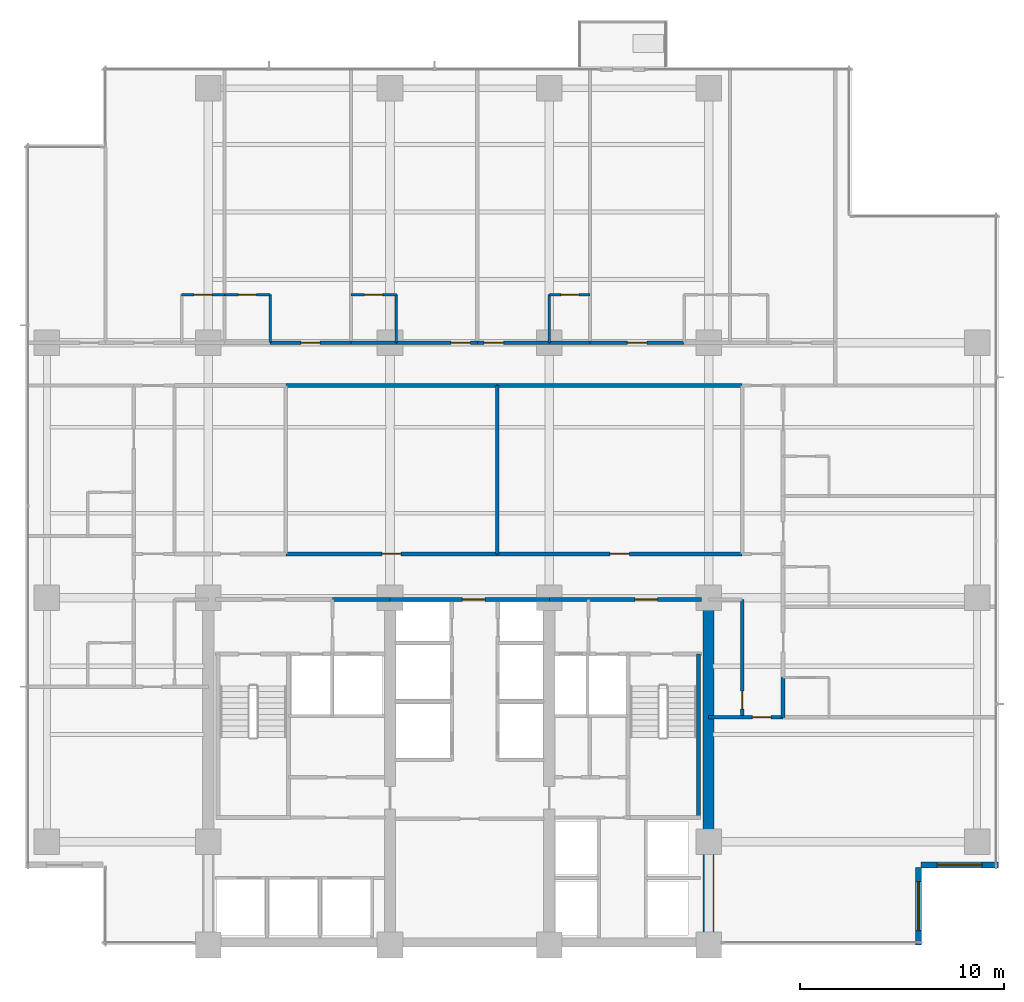
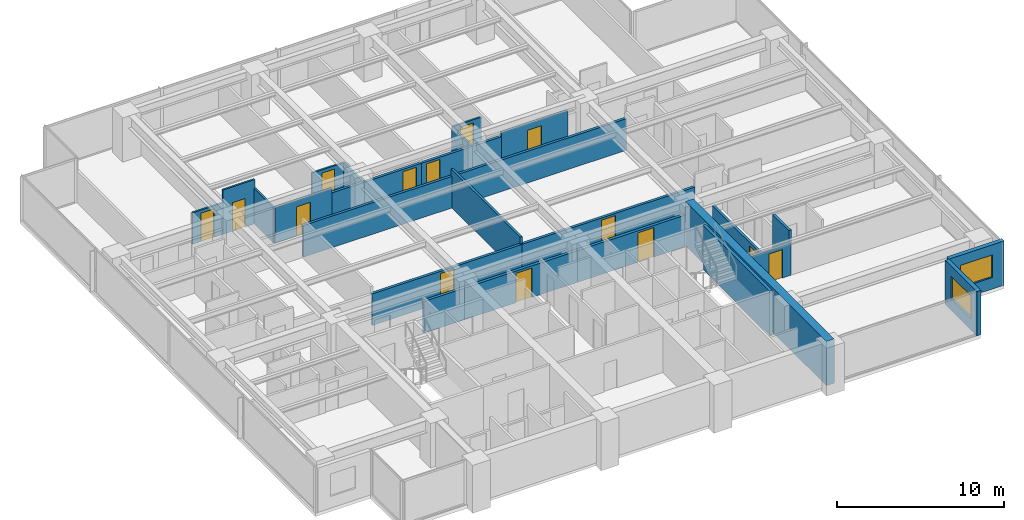
# One storey, part 10 of 17: 28 walls, 14 doors, 2 windows, 16 openings.
"""IFC4 building model written with IfcOpenShell, lengths in metres."""

from ifc_helpers import new_model, si_unit, direction, frame, frame_2d, origin, place, context, subcontext, project, spatial, rectangle, extrude, material, layer, layer_set, type_object, element, fill, save


model = new_model("IFC4")

# Units and contexts
model_context = context("Model", 3, precision=1e-05, world=origin(), true_north=direction((0.0, 1.0)))
body_context = subcontext(model_context, "Body", "Model", "MODEL_VIEW")
ifc_project = project(units=[si_unit("LENGTHUNIT", "METRE"), si_unit("AREAUNIT", "SQUARE_METRE"), si_unit("VOLUMEUNIT", "CUBIC_METRE"), si_unit("PLANEANGLEUNIT", "RADIAN"), si_unit("MASSUNIT", "GRAM", prefix="KILO")], contexts=[model_context])

# Site, building, storey
site_placement = place(None, origin())
site = spatial("IfcSite", under=ifc_project, at=site_placement, CompositionType="ELEMENT")
building_placement = place(site_placement, origin())
building = spatial("IfcBuilding", under=site, at=building_placement, Name="Qalmaran Belvedere Hotel", CompositionType="ELEMENT")
storey_placement = place(building_placement, frame((0.0, 0.0, 102.199951171875)))
storey = spatial("IfcBuildingStorey", under=building, at=storey_placement, Name="L25", CompositionType="ELEMENT", Elevation=102.199951171875)

# Wall
ifc_material_1 = material(Name="Concrete C60/75", Category="concrete")
ifc_layer_1 = layer(ifc_material_1, 0.550048828125, Name="Concrete C60/75")
ifc_layer_set_1 = layer_set([ifc_layer_1], Name="Concrete C60/75")
wall_type_1 = type_object("IfcWallType", Name="WL-CORE-550-C60", PredefinedType="SHEAR", material=ifc_layer_set_1)
wall_1_placement = place(storey_placement, frame((44.800048828125, 3.5, 0.0), z_axis=(0.0, 0.0, 1.0), x_axis=(0.0, 1.0, 0.0)))
element("IfcWall", 1, at=wall_1_placement, inside=storey, type_object=wall_type_1, Name="L25 East Core Shear Wall", PredefinedType="SHEAR", context=body_context, shape_type="SweptSolid", body=[
    extrude(rectangle(XDim=16.89990234375, YDim=0.550048828125, at=frame_2d((8.449951171875, 0.0))), origin(), (0.0, 0.0, 1.0), 3.239990234375),
])

# Wall, opening, window
ifc_material_2 = material(Name="Anodised Bronze Cladding")
ifc_layer_2 = layer(ifc_material_2, 0.280029296875, Name="Anodised Bronze Cladding")
ifc_layer_set_2 = layer_set([ifc_layer_2], Name="Anodised Bronze Cladding")
wall_type_2 = type_object("IfcWallType", Name="WL-EXT-BRNZ-280", PredefinedType="SOLIDWALL", material=ifc_layer_set_2)
wall_2_placement = place(storey_placement, frame((55.080078125, 3.5, 0.0), z_axis=(0.0, 0.0, 1.0), x_axis=(0.0, 1.0, 0.0)))
wall_2 = element("IfcWall", 2, at=wall_2_placement, inside=storey, type_object=wall_type_2, Name="L25 Corner Notch Wall 1", PredefinedType="SOLIDWALL", context=body_context, shape_type="SweptSolid", body=[
    extrude(rectangle(XDim=3.800048828125, YDim=0.280029296875, at=frame_2d((1.89990234375, 0.0))), origin(), (0.0, 0.0, 1.0), 3.239990234375),
])
opening_1_placement = place(wall_2_placement, frame((0.699951171875, 0.0, 0.85009765625)))
opening_1 = element("IfcOpeningElement", 3, at=opening_1_placement, cuts=wall_2, Name="Opening W-N24", PredefinedType="OPENING", context=body_context, shape_type="SweptSolid", body=[
    extrude(rectangle(XDim=2.39990234375, YDim=1.64990234375, at=frame_2d((1.199951171875, 0.824951171875))), frame((0.0, 0.14990234375, 0.0), z_axis=(0.0, -1.0, 0.0), x_axis=(1.0, 0.0, 0.0)), (0.0, 0.0, 1.0), 0.300048828125),
])
ifc_material_3 = material(Name="Solar-Control Double Glazing", Category="glass")
window_type_1 = type_object("IfcWindowType", Name="WN-NTC-2400X1650", PartitioningType="SINGLE_PANEL", PredefinedType="WINDOW", material=ifc_material_3)
window_1_placement = place(opening_1_placement, origin())
window_1 = element("IfcWindow", 4, at=window_1_placement, inside=storey, type_object=window_type_1, Name="L25 Corner Notch Window 1", OverallHeight=1.64990234375, OverallWidth=2.39990234375, PartitioningType="SINGLE_PANEL", PredefinedType="WINDOW", context=body_context, shape_type="SweptSolid", body=[
    extrude(rectangle(XDim=2.39990234375, YDim=1.64990234375, at=frame_2d((1.199951171875, 0.824951171875))), frame((0.0, 0.030029296875, 0.0), z_axis=(0.0, -1.0, 0.0), x_axis=(1.0, 0.0, 0.0)), (0.0, 0.0, 1.0), 0.06005859375),
])
fill(opening_1, window_1)

wall_3_placement = place(storey_placement, frame((55.199951171875, 7.419921875, 0.0), z_axis=(0.0, 0.0, 1.0), x_axis=(1.0, 0.0, 0.0)))
wall_3 = element("IfcWall", 5, at=wall_3_placement, inside=storey, type_object=wall_type_2, Name="L25 Corner Notch Wall 2", PredefinedType="SOLIDWALL", context=body_context, shape_type="SweptSolid", body=[
    extrude(rectangle(XDim=3.800048828125, YDim=0.280029296875, at=frame_2d((1.89990234375, 0.0))), origin(), (0.0, 0.0, 1.0), 3.239990234375),
])
opening_2_placement = place(wall_3_placement, frame((0.800048828125, 0.0, 0.85009765625)))
opening_2 = element("IfcOpeningElement", 6, at=opening_2_placement, cuts=wall_3, Name="Opening W-N22", PredefinedType="OPENING", context=body_context, shape_type="SweptSolid", body=[
    extrude(rectangle(XDim=2.199951171875, YDim=1.64990234375, at=frame_2d((1.10009765625, 0.824951171875))), frame((0.0, 0.14990234375, 0.0), z_axis=(0.0, -1.0, 0.0), x_axis=(1.0, 0.0, 0.0)), (0.0, 0.0, 1.0), 0.300048828125),
])
window_type_2 = type_object("IfcWindowType", Name="WN-NTC-2200X1650", PartitioningType="SINGLE_PANEL", PredefinedType="WINDOW", material=ifc_material_3)
window_2_placement = place(opening_2_placement, origin())
window_2 = element("IfcWindow", 7, at=window_2_placement, inside=storey, type_object=window_type_2, Name="L25 Corner Notch Window 2", OverallHeight=1.64990234375, OverallWidth=2.199951171875, PartitioningType="SINGLE_PANEL", PredefinedType="WINDOW", context=body_context, shape_type="SweptSolid", body=[
    extrude(rectangle(XDim=2.199951171875, YDim=1.64990234375, at=frame_2d((1.10009765625, 0.824951171875))), frame((0.0, 0.030029296875, 0.0), z_axis=(0.0, -1.0, 0.0), x_axis=(1.0, 0.0, 0.0)), (0.0, 0.0, 1.0), 0.06005859375),
])
fill(opening_2, window_2)

# Wall, opening, door
ifc_material_4 = material(Name="Moisture-Resistant Gypsum")
ifc_layer_3 = layer(ifc_material_4, 0.1201171875, Name="Moisture-Resistant Gypsum")
ifc_layer_set_3 = layer_set([ifc_layer_3], Name="Moisture-Resistant Gypsum")
wall_type_3 = type_object("IfcWallType", Name="WL-INT-120-BATH", PredefinedType="PARTITIONING", material=ifc_layer_set_3)
wall_4_placement = place(storey_placement, frame((18.99560546875, 35.35009765625, 0.0), z_axis=(0.0, 0.0, 1.0), x_axis=(1.0, 0.0, 0.0)))
wall_4 = element("IfcWall", 8, at=wall_4_placement, inside=storey, type_object=wall_type_3, Name="L25 Partition WL-L25-NBN00", PredefinedType="PARTITIONING", context=body_context, shape_type="SweptSolid", body=[
    extrude(rectangle(XDim=2.10009765625, YDim=0.1201171875, at=frame_2d((1.050048828125, 0.0))), origin(), (0.0, 0.0, 1.0), 2.31298828125),
])
opening_3_placement = place(wall_4_placement, frame((1.489990234375, 0.0, 0.0), z_axis=(0.0, 0.0, 1.0), x_axis=(-1.0, 0.0, 0.0)))
opening_3 = element("IfcOpeningElement", 9, at=opening_3_placement, cuts=wall_4, Name="Opening D-BATH", PredefinedType="OPENING", context=body_context, shape_type="SweptSolid", body=[
    extrude(rectangle(XDim=0.8798828125, YDim=2.080078125, at=frame_2d((0.43994140625, 1.0400390625))), frame((0.0, 0.070068359375, 0.0), z_axis=(0.0, -1.0, 0.0), x_axis=(1.0, 0.0, 0.0)), (0.0, 0.0, 1.0), 0.14013671875),
])
ifc_material_5 = material(Name="Engineered Oak Veneer")
door_type_1 = type_object("IfcDoorType", Name="DR-INT-BATH-880X2080", OperationType="NOTDEFINED", PredefinedType="DOOR", material=ifc_material_5)
door_1_placement = place(opening_3_placement, origin())
door_1 = element("IfcDoor", 10, at=door_1_placement, inside=storey, type_object=door_type_1, Name="L25 Ensuite Bathroom Door N01", OperationType="SINGLE_SWING_RIGHT", OverallHeight=2.080078125, OverallWidth=0.8798828125, PredefinedType="DOOR", context=body_context, shape_type="SweptSolid", body=[
    extrude(rectangle(XDim=0.8798828125, YDim=2.080078125, at=frame_2d((0.43994140625, 1.0400390625))), frame((0.0, 0.02490234375, 0.0), z_axis=(0.0, -1.0, 0.0), x_axis=(1.0, 0.0, 0.0)), (0.0, 0.0, 1.0), 0.050048828125),
])
fill(opening_3, door_1)

wall_5_placement = place(storey_placement, frame((21.095703125, 35.35009765625, 0.0), z_axis=(0.0, 0.0, 1.0), x_axis=(1.0, 0.0, 0.0)))
wall_5 = element("IfcWall", 11, at=wall_5_placement, inside=storey, type_object=wall_type_3, Name="L25 Partition WL-L25-NBN01", PredefinedType="PARTITIONING", context=body_context, shape_type="SweptSolid", body=[
    extrude(rectangle(XDim=2.22998046875, YDim=0.1201171875, at=frame_2d((1.114990234375, 0.0))), origin(), (0.0, 0.0, 1.0), 3.239990234375),
])
opening_4_placement = place(wall_5_placement, frame((1.554931640625, 0.0, 0.0), z_axis=(0.0, 0.0, 1.0), x_axis=(-1.0, 0.0, 0.0)))
opening_4 = element("IfcOpeningElement", 12, at=opening_4_placement, cuts=wall_5, Name="Opening D-BATH", PredefinedType="OPENING", context=body_context, shape_type="SweptSolid", body=[
    extrude(rectangle(XDim=0.8798828125, YDim=2.080078125, at=frame_2d((0.43994140625, 1.0400390625))), frame((0.0, 0.070068359375, 0.0), z_axis=(0.0, -1.0, 0.0), x_axis=(1.0, 0.0, 0.0)), (0.0, 0.0, 1.0), 0.14013671875),
])
door_2_placement = place(opening_4_placement, origin())
door_2 = element("IfcDoor", 13, at=door_2_placement, inside=storey, type_object=door_type_1, Name="L25 Ensuite Bathroom Door N02", OperationType="SINGLE_SWING_RIGHT", OverallHeight=2.080078125, OverallWidth=0.8798828125, PredefinedType="DOOR", context=body_context, shape_type="SweptSolid", body=[
    extrude(rectangle(XDim=0.8798828125, YDim=2.080078125, at=frame_2d((0.43994140625, 1.0400390625))), frame((0.0, 0.02490234375, 0.0), z_axis=(0.0, -1.0, 0.0), x_axis=(1.0, 0.0, 0.0)), (0.0, 0.0, 1.0), 0.050048828125),
])
fill(opening_4, door_2)

# Wall
wall_6_placement = place(storey_placement, frame((23.32568359375, 33.0, 0.0), z_axis=(0.0, 0.0, 1.0), x_axis=(0.0, 1.0, 0.0)))
element("IfcWall", 14, at=wall_6_placement, inside=storey, type_object=wall_type_3, Name="L25 Partition WL-L25-NBS01", PredefinedType="PARTITIONING", context=body_context, shape_type="SweptSolid", body=[
    extrude(rectangle(XDim=2.35009765625, YDim=0.1201171875, at=frame_2d((1.175048828125, 0.0))), origin(), (0.0, 0.0, 1.0), 2.614013671875),
])

# Wall, opening, door
wall_7_placement = place(storey_placement, frame((27.285400390625, 35.35009765625, 0.0), z_axis=(0.0, 0.0, 1.0), x_axis=(1.0, 0.0, 0.0)))
wall_7 = element("IfcWall", 15, at=wall_7_placement, inside=storey, type_object=wall_type_3, Name="L25 Partition WL-L25-NBN02", PredefinedType="PARTITIONING", context=body_context, shape_type="SweptSolid", body=[
    extrude(rectangle(XDim=2.22998046875, YDim=0.1201171875, at=frame_2d((1.114990234375, 0.0))), origin(), (0.0, 0.0, 1.0), 2.31298828125),
])
opening_5_placement = place(wall_7_placement, frame((1.554931640625, 0.0, 0.0), z_axis=(0.0, 0.0, 1.0), x_axis=(-1.0, 0.0, 0.0)))
opening_5 = element("IfcOpeningElement", 16, at=opening_5_placement, cuts=wall_7, Name="Opening D-BATH", PredefinedType="OPENING", context=body_context, shape_type="SweptSolid", body=[
    extrude(rectangle(XDim=0.8798828125, YDim=2.080078125, at=frame_2d((0.43994140625, 1.0400390625))), frame((0.0, 0.070068359375, 0.0), z_axis=(0.0, -1.0, 0.0), x_axis=(1.0, 0.0, 0.0)), (0.0, 0.0, 1.0), 0.14013671875),
])
door_3_placement = place(opening_5_placement, origin())
door_3 = element("IfcDoor", 17, at=door_3_placement, inside=storey, type_object=door_type_1, Name="L25 Ensuite Bathroom Door N03", OperationType="SINGLE_SWING_RIGHT", OverallHeight=2.080078125, OverallWidth=0.8798828125, PredefinedType="DOOR", context=body_context, shape_type="SweptSolid", body=[
    extrude(rectangle(XDim=0.8798828125, YDim=2.080078125, at=frame_2d((0.43994140625, 1.0400390625))), frame((0.0, 0.02490234375, 0.0), z_axis=(0.0, -1.0, 0.0), x_axis=(1.0, 0.0, 0.0)), (0.0, 0.0, 1.0), 0.050048828125),
])
fill(opening_5, door_3)

# Wall
wall_8_placement = place(storey_placement, frame((29.515380859375, 33.0, 0.0), z_axis=(0.0, 0.0, 1.0), x_axis=(0.0, 1.0, 0.0)))
element("IfcWall", 18, at=wall_8_placement, inside=storey, type_object=wall_type_3, Name="L25 Partition WL-L25-NBS02", PredefinedType="PARTITIONING", context=body_context, shape_type="SweptSolid", body=[
    extrude(rectangle(XDim=2.35009765625, YDim=0.1201171875, at=frame_2d((1.175048828125, 0.0))), origin(), (0.0, 0.0, 1.0), 2.31298828125),
])

# Wall, opening, door
wall_9_placement = place(storey_placement, frame((37.010009765625, 35.35009765625, 0.0), z_axis=(0.0, 0.0, 1.0), x_axis=(1.0, 0.0, 0.0)))
wall_9 = element("IfcWall", 19, at=wall_9_placement, inside=storey, type_object=wall_type_3, Name="L25 Partition WL-L25-NBN03", PredefinedType="PARTITIONING", context=body_context, shape_type="SweptSolid", body=[
    extrude(rectangle(XDim=1.989990234375, YDim=0.1201171875, at=frame_2d((0.9951171875, 0.0))), origin(), (0.0, 0.0, 1.0), 2.31298828125),
])
opening_6_placement = place(wall_9_placement, frame((1.434814453125, 0.0, 0.0), z_axis=(0.0, 0.0, 1.0), x_axis=(-1.0, 0.0, 0.0)))
opening_6 = element("IfcOpeningElement", 20, at=opening_6_placement, cuts=wall_9, Name="Opening D-BATH", PredefinedType="OPENING", context=body_context, shape_type="SweptSolid", body=[
    extrude(rectangle(XDim=0.8798828125, YDim=2.080078125, at=frame_2d((0.43994140625, 1.0400390625))), frame((0.0, 0.070068359375, 0.0), z_axis=(0.0, -1.0, 0.0), x_axis=(1.0, 0.0, 0.0)), (0.0, 0.0, 1.0), 0.14013671875),
])
door_4_placement = place(opening_6_placement, origin())
door_4 = element("IfcDoor", 21, at=door_4_placement, inside=storey, type_object=door_type_1, Name="L25 Ensuite Bathroom Door N04", OperationType="SINGLE_SWING_RIGHT", OverallHeight=2.080078125, OverallWidth=0.8798828125, PredefinedType="DOOR", context=body_context, shape_type="SweptSolid", body=[
    extrude(rectangle(XDim=0.8798828125, YDim=2.080078125, at=frame_2d((0.43994140625, 1.0400390625))), frame((0.0, 0.02490234375, 0.0), z_axis=(0.0, -1.0, 0.0), x_axis=(1.0, 0.0, 0.0)), (0.0, 0.0, 1.0), 0.050048828125),
])
fill(opening_6, door_4)

# Wall
wall_10_placement = place(storey_placement, frame((37.010009765625, 33.0, 0.0), z_axis=(0.0, 0.0, 1.0), x_axis=(0.0, 1.0, 0.0)))
element("IfcWall", 22, at=wall_10_placement, inside=storey, type_object=wall_type_3, Name="L25 Partition WL-L25-NBS03", PredefinedType="PARTITIONING", context=body_context, shape_type="SweptSolid", body=[
    extrude(rectangle(XDim=2.35009765625, YDim=0.1201171875, at=frame_2d((1.175048828125, 0.0))), origin(), (0.0, 0.0, 1.0), 2.31298828125),
])

# Wall, opening, door
ifc_material_6 = material(Name="Gypsum Stud Partition")
ifc_layer_4 = layer(ifc_material_6, 0.159912109375, Name="Gypsum Stud Partition")
ifc_layer_set_4 = layer_set([ifc_layer_4], Name="Gypsum Stud Partition")
wall_type_4 = type_object("IfcWallType", Name="WL-INT-160-EI60", PredefinedType="PARTITIONING", material=ifc_layer_set_4)
wall_11_placement = place(storey_placement, frame((44.800048828125, 14.64990234375, 0.0), z_axis=(0.0, 0.0, 1.0), x_axis=(1.0, 0.0, 0.0)))
wall_11 = element("IfcWall", 23, at=wall_11_placement, inside=storey, type_object=wall_type_4, Name="L25 Partition WL-L25-SERL", PredefinedType="PARTITIONING", context=body_context, shape_type="SweptSolid", body=[
    extrude(rectangle(XDim=3.64990234375, YDim=0.159912109375, at=frame_2d((1.824951171875, 0.0))), origin(), (0.0, 0.0, 1.0), 2.31298828125),
])
opening_7_placement = place(wall_11_placement, frame((3.06982421875, 0.0, 0.0), z_axis=(0.0, 0.0, 1.0), x_axis=(-1.0, 0.0, 0.0)))
opening_7 = element("IfcOpeningElement", 24, at=opening_7_placement, cuts=wall_11, Name="Opening FD60S1", PredefinedType="OPENING", context=body_context, shape_type="SweptSolid", body=[
    extrude(rectangle(XDim=0.919921875, YDim=2.080078125, at=frame_2d((0.4599609375, 1.0400390625))), frame((0.0, 0.08984375, 0.0), z_axis=(0.0, -1.0, 0.0), x_axis=(1.0, 0.0, 0.0)), (0.0, 0.0, 1.0), 0.179931640625),
])
door_type_2 = type_object("IfcDoorType", Name="DR-FD60S-920X2080", OperationType="NOTDEFINED", PredefinedType="DOOR", material=ifc_material_5)
door_5_placement = place(opening_7_placement, origin())
door_5 = element("IfcDoor", 25, at=door_5_placement, inside=storey, type_object=door_type_2, Name="L25 SE Lounge Door", OperationType="SINGLE_SWING_RIGHT", OverallHeight=2.080078125, OverallWidth=0.919921875, PredefinedType="DOOR", context=body_context, shape_type="SweptSolid", body=[
    extrude(rectangle(XDim=0.919921875, YDim=2.080078125, at=frame_2d((0.4599609375, 1.0400390625))), frame((0.0, 0.02490234375, 0.0), z_axis=(0.0, -1.0, 0.0), x_axis=(1.0, 0.0, 0.0)), (0.0, 0.0, 1.0), 0.050048828125),
])
fill(opening_7, door_5)

wall_12_placement = place(storey_placement, frame((46.449951171875, 14.64990234375, 0.0), z_axis=(0.0, 0.0, 1.0), x_axis=(0.0, 1.0, 0.0)))
wall_12 = element("IfcWall", 26, at=wall_12_placement, inside=storey, type_object=wall_type_4, Name="L25 Partition WL-L25-ECL", PredefinedType="PARTITIONING", context=body_context, shape_type="SweptSolid", body=[
    extrude(rectangle(XDim=5.77001953125, YDim=0.159912109375, at=frame_2d((2.885009765625, 0.0))), origin(), (0.0, 0.0, 1.0), 2.31298828125),
])
opening_8_placement = place(wall_12_placement, frame((0.39990234375, 0.0, 0.0)))
opening_8 = element("IfcOpeningElement", 27, at=opening_8_placement, cuts=wall_12, Name="Opening FD60B", PredefinedType="OPENING", context=body_context, shape_type="SweptSolid", body=[
    extrude(rectangle(XDim=0.8798828125, YDim=2.080078125, at=frame_2d((0.43994140625, 1.0400390625))), frame((0.0, 0.08984375, 0.0), z_axis=(0.0, -1.0, 0.0), x_axis=(1.0, 0.0, 0.0)), (0.0, 0.0, 1.0), 0.179931640625),
])
ifc_material_7 = material(Name="Steel S355JR", Category="steel")
door_type_3 = type_object("IfcDoorType", Name="DR-FD60B-880X2080", OperationType="NOTDEFINED", PredefinedType="DOOR", material=ifc_material_7)
door_6_placement = place(opening_8_placement, origin())
door_6 = element("IfcDoor", 28, at=door_6_placement, inside=storey, type_object=door_type_3, Name="L25 East Closet Door", OperationType="SINGLE_SWING_RIGHT", OverallHeight=2.080078125, OverallWidth=0.8798828125, PredefinedType="DOOR", context=body_context, shape_type="SweptSolid", body=[
    extrude(rectangle(XDim=0.8798828125, YDim=2.080078125, at=frame_2d((0.43994140625, 1.0400390625))), frame((0.0, 0.02490234375, 0.0), z_axis=(0.0, -1.0, 0.0), x_axis=(1.0, 0.0, 0.0)), (0.0, 0.0, 1.0), 0.050048828125),
])
fill(opening_8, door_6)

# Wall
wall_13_placement = place(storey_placement, frame((34.449951171875, 22.64990234375, 0.0), z_axis=(0.0, 0.0, 1.0), x_axis=(0.0, 1.0, 0.0)))
element("IfcWall", 29, at=wall_13_placement, inside=storey, type_object=wall_type_4, Name="L25 Partition WL-L25-MIDVR2", PredefinedType="PARTITIONING", context=body_context, shape_type="SweptSolid", body=[
    extrude(rectangle(XDim=8.25, YDim=0.159912109375, at=frame_2d((4.125, 0.0))), origin(), (0.0, 0.0, 1.0), 2.818115234375),
])

# Wall, opening, door
ifc_layer_5 = layer(ifc_material_6, 0.179931640625, Name="Gypsum Stud Partition")
ifc_layer_set_5 = layer_set([ifc_layer_5], Name="Gypsum Stud Partition")
wall_type_5 = type_object("IfcWallType", Name="WL-INT-180-EI60", PredefinedType="PARTITIONING", material=ifc_layer_set_5)
wall_14_placement = place(storey_placement, frame((24.10009765625, 22.64990234375, 0.0), z_axis=(0.0, 0.0, 1.0), x_axis=(1.0, 0.0, 0.0)))
wall_14 = element("IfcWall", 30, at=wall_14_placement, inside=storey, type_object=wall_type_5, Name="L25 Partition WL-L25-MIDD2", PredefinedType="PARTITIONING", context=body_context, shape_type="SweptSolid", body=[
    extrude(rectangle(XDim=10.349853515625, YDim=0.179931640625, at=frame_2d((5.1748046875, 0.0))), origin(), (0.0, 0.0, 1.0), 2.31298828125),
])
opening_9_placement = place(wall_14_placement, frame((4.699951171875, 0.0, 0.0)))
opening_9 = element("IfcOpeningElement", 31, at=opening_9_placement, cuts=wall_14, Name="Opening FD60", PredefinedType="OPENING", context=body_context, shape_type="SweptSolid", body=[
    extrude(rectangle(XDim=0.949951171875, YDim=2.14990234375, at=frame_2d((0.47509765625, 1.074951171875))), frame((0.0, 0.10009765625, 0.0), z_axis=(0.0, -1.0, 0.0), x_axis=(1.0, 0.0, 0.0)), (0.0, 0.0, 1.0), 0.199951171875),
])
door_type_4 = type_object("IfcDoorType", Name="DR-FD60-950X2150", OperationType="NOTDEFINED", PredefinedType="DOOR", material=ifc_material_5)
door_7_placement = place(opening_9_placement, origin())
door_7 = element("IfcDoor", 32, at=door_7_placement, inside=storey, type_object=door_type_4, Name="L25 Club Lounge Door", OperationType="SINGLE_SWING_RIGHT", OverallHeight=2.14990234375, OverallWidth=0.949951171875, PredefinedType="DOOR", context=body_context, shape_type="SweptSolid", body=[
    extrude(rectangle(XDim=0.949951171875, YDim=2.14990234375, at=frame_2d((0.47509765625, 1.074951171875))), frame((0.0, 0.02490234375, 0.0), z_axis=(0.0, -1.0, 0.0), x_axis=(1.0, 0.0, 0.0)), (0.0, 0.0, 1.0), 0.050048828125),
])
fill(opening_9, door_7)

# Wall
wall_15_placement = place(storey_placement, frame((24.10009765625, 30.89990234375, 0.0), z_axis=(0.0, 0.0, 1.0), x_axis=(1.0, 0.0, 0.0)))
element("IfcWall", 33, at=wall_15_placement, inside=storey, type_object=wall_type_5, Name="L25 Partition WL-L25-MIDO2", PredefinedType="PARTITIONING", context=body_context, shape_type="SweptSolid", body=[
    extrude(rectangle(XDim=10.349853515625, YDim=0.179931640625, at=frame_2d((5.1748046875, 0.0))), origin(), (0.0, 0.0, 1.0), 2.31298828125),
])

# Wall, opening, door
wall_16_placement = place(storey_placement, frame((34.449951171875, 22.64990234375, 0.0), z_axis=(0.0, 0.0, 1.0), x_axis=(1.0, 0.0, 0.0)))
wall_16 = element("IfcWall", 34, at=wall_16_placement, inside=storey, type_object=wall_type_5, Name="L25 Partition WL-L25-MIDD3", PredefinedType="PARTITIONING", context=body_context, shape_type="SweptSolid", body=[
    extrude(rectangle(XDim=12.0, YDim=0.179931640625, at=frame_2d((6.0, 0.0))), origin(), (0.0, 0.0, 1.0), 2.31298828125),
])
opening_10_placement = place(wall_16_placement, frame((5.52490234375, 0.0, 0.0)))
opening_10 = element("IfcOpeningElement", 35, at=opening_10_placement, cuts=wall_16, Name="Opening FD60", PredefinedType="OPENING", context=body_context, shape_type="SweptSolid", body=[
    extrude(rectangle(XDim=0.949951171875, YDim=2.14990234375, at=frame_2d((0.47509765625, 1.074951171875))), frame((0.0, 0.10009765625, 0.0), z_axis=(0.0, -1.0, 0.0), x_axis=(1.0, 0.0, 0.0)), (0.0, 0.0, 1.0), 0.199951171875),
])
door_8_placement = place(opening_10_placement, origin())
door_8 = element("IfcDoor", 36, at=door_8_placement, inside=storey, type_object=door_type_4, Name="L25 Fitness Spa Door", OperationType="SINGLE_SWING_LEFT", OverallHeight=2.14990234375, OverallWidth=0.949951171875, PredefinedType="DOOR", context=body_context, shape_type="SweptSolid", body=[
    extrude(rectangle(XDim=0.949951171875, YDim=2.14990234375, at=frame_2d((0.47509765625, 1.074951171875))), frame((0.0, 0.02490234375, 0.0), z_axis=(0.0, -1.0, 0.0), x_axis=(1.0, 0.0, 0.0)), (0.0, 0.0, 1.0), 0.050048828125),
])
fill(opening_10, door_8)

# Wall
wall_17_placement = place(storey_placement, frame((34.449951171875, 30.89990234375, 0.0), z_axis=(0.0, 0.0, 1.0), x_axis=(1.0, 0.0, 0.0)))
element("IfcWall", 37, at=wall_17_placement, inside=storey, type_object=wall_type_5, Name="L25 Partition WL-L25-MIDO3", PredefinedType="PARTITIONING", context=body_context, shape_type="SweptSolid", body=[
    extrude(rectangle(XDim=12.0, YDim=0.179931640625, at=frame_2d((6.0, 0.0))), origin(), (0.0, 0.0, 1.0), 2.31298828125),
])

# Wall, opening, door
wall_18_placement = place(storey_placement, frame((23.32568359375, 33.0, 0.0), z_axis=(0.0, 0.0, 1.0), x_axis=(1.0, 0.0, 0.0)))
wall_18 = element("IfcWall", 38, at=wall_18_placement, inside=storey, type_object=wall_type_5, Name="L25 Partition WL-L25-NEC01", PredefinedType="PARTITIONING", context=body_context, shape_type="SweptSolid", body=[
    extrude(rectangle(XDim=3.959716796875, YDim=0.179931640625, at=frame_2d((1.97998046875, 0.0))), origin(), (0.0, 0.0, 1.0), 2.614013671875),
])
opening_11_placement = place(wall_18_placement, frame((1.5048828125, 0.0, 0.0)))
opening_11 = element("IfcOpeningElement", 39, at=opening_11_placement, cuts=wall_18, Name="Opening FD60", PredefinedType="OPENING", context=body_context, shape_type="SweptSolid", body=[
    extrude(rectangle(XDim=0.949951171875, YDim=2.14990234375, at=frame_2d((0.47509765625, 1.074951171875))), frame((0.0, 0.10009765625, 0.0), z_axis=(0.0, -1.0, 0.0), x_axis=(1.0, 0.0, 0.0)), (0.0, 0.0, 1.0), 0.199951171875),
])
door_9_placement = place(opening_11_placement, origin())
door_9 = element("IfcDoor", 40, at=door_9_placement, inside=storey, type_object=door_type_4, Name="L25 Guest Entrance Door N02", OperationType="SINGLE_SWING_LEFT", OverallHeight=2.14990234375, OverallWidth=0.949951171875, PredefinedType="DOOR", context=body_context, shape_type="SweptSolid", body=[
    extrude(rectangle(XDim=0.949951171875, YDim=2.14990234375, at=frame_2d((0.47509765625, 1.074951171875))), frame((0.0, 0.02490234375, 0.0), z_axis=(0.0, -1.0, 0.0), x_axis=(1.0, 0.0, 0.0)), (0.0, 0.0, 1.0), 0.050048828125),
])
fill(opening_11, door_9)

# Wall
wall_19_placement = place(storey_placement, frame((27.285400390625, 33.0, 0.0), z_axis=(0.0, 0.0, 1.0), x_axis=(1.0, 0.0, 0.0)))
element("IfcWall", 41, at=wall_19_placement, inside=storey, type_object=wall_type_5, Name="L25 Partition WL-L25-NBC02", PredefinedType="PARTITIONING", context=body_context, shape_type="SweptSolid", body=[
    extrude(rectangle(XDim=2.22998046875, YDim=0.179931640625, at=frame_2d((1.114990234375, 0.0))), origin(), (0.0, 0.0, 1.0), 2.31298828125),
])

# Wall, opening, door
wall_20_placement = place(storey_placement, frame((29.515380859375, 33.0, 0.0), z_axis=(0.0, 0.0, 1.0), x_axis=(1.0, 0.0, 0.0)))
wall_20 = element("IfcWall", 42, at=wall_20_placement, inside=storey, type_object=wall_type_5, Name="L25 Partition WL-L25-NEC02", PredefinedType="PARTITIONING", context=body_context, shape_type="SweptSolid", body=[
    extrude(rectangle(XDim=3.959716796875, YDim=0.179931640625, at=frame_2d((1.97998046875, 0.0))), origin(), (0.0, 0.0, 1.0), 2.31298828125),
])
opening_12_placement = place(wall_20_placement, frame((2.6728515625, 0.0, 0.0)))
opening_12 = element("IfcOpeningElement", 43, at=opening_12_placement, cuts=wall_20, Name="Opening FD60", PredefinedType="OPENING", context=body_context, shape_type="SweptSolid", body=[
    extrude(rectangle(XDim=0.949951171875, YDim=2.14990234375, at=frame_2d((0.47509765625, 1.074951171875))), frame((0.0, 0.10009765625, 0.0), z_axis=(0.0, -1.0, 0.0), x_axis=(1.0, 0.0, 0.0)), (0.0, 0.0, 1.0), 0.199951171875),
])
door_10_placement = place(opening_12_placement, origin())
door_10 = element("IfcDoor", 44, at=door_10_placement, inside=storey, type_object=door_type_4, Name="L25 Guest Entrance Door N03", OperationType="SINGLE_SWING_LEFT", OverallHeight=2.14990234375, OverallWidth=0.949951171875, PredefinedType="DOOR", context=body_context, shape_type="SweptSolid", body=[
    extrude(rectangle(XDim=0.949951171875, YDim=2.14990234375, at=frame_2d((0.47509765625, 1.074951171875))), frame((0.0, 0.02490234375, 0.0), z_axis=(0.0, -1.0, 0.0), x_axis=(1.0, 0.0, 0.0)), (0.0, 0.0, 1.0), 0.050048828125),
])
fill(opening_12, door_10)

# Wall
wall_21_placement = place(storey_placement, frame((37.010009765625, 33.0, 0.0), z_axis=(0.0, 0.0, 1.0), x_axis=(1.0, 0.0, 0.0)))
element("IfcWall", 45, at=wall_21_placement, inside=storey, type_object=wall_type_5, Name="L25 Partition WL-L25-NBC03", PredefinedType="PARTITIONING", context=body_context, shape_type="SweptSolid", body=[
    extrude(rectangle(XDim=1.989990234375, YDim=0.179931640625, at=frame_2d((0.9951171875, 0.0))), origin(), (0.0, 0.0, 1.0), 2.31298828125),
])

# Wall, opening, door
wall_22_placement = place(storey_placement, frame((33.47509765625, 33.0, 0.0), z_axis=(0.0, 0.0, 1.0), x_axis=(1.0, 0.0, 0.0)))
wall_22 = element("IfcWall", 46, at=wall_22_placement, inside=storey, type_object=wall_type_5, Name="L25 Partition WL-L25-NEC03", PredefinedType="PARTITIONING", context=body_context, shape_type="SweptSolid", body=[
    extrude(rectangle(XDim=3.534912109375, YDim=0.179931640625, at=frame_2d((1.767578125, 0.0))), origin(), (0.0, 0.0, 1.0), 2.31298828125),
])
opening_13_placement = place(wall_22_placement, frame((0.339111328125, 0.0, 0.0)))
opening_13 = element("IfcOpeningElement", 47, at=opening_13_placement, cuts=wall_22, Name="Opening FD60", PredefinedType="OPENING", context=body_context, shape_type="SweptSolid", body=[
    extrude(rectangle(XDim=0.949951171875, YDim=2.14990234375, at=frame_2d((0.47509765625, 1.074951171875))), frame((0.0, 0.10009765625, 0.0), z_axis=(0.0, -1.0, 0.0), x_axis=(1.0, 0.0, 0.0)), (0.0, 0.0, 1.0), 0.199951171875),
])
door_11_placement = place(opening_13_placement, origin())
door_11 = element("IfcDoor", 48, at=door_11_placement, inside=storey, type_object=door_type_4, Name="L25 Guest Entrance Door N04", OperationType="SINGLE_SWING_LEFT", OverallHeight=2.14990234375, OverallWidth=0.949951171875, PredefinedType="DOOR", context=body_context, shape_type="SweptSolid", body=[
    extrude(rectangle(XDim=0.949951171875, YDim=2.14990234375, at=frame_2d((0.47509765625, 1.074951171875))), frame((0.0, 0.02490234375, 0.0), z_axis=(0.0, -1.0, 0.0), x_axis=(1.0, 0.0, 0.0)), (0.0, 0.0, 1.0), 0.050048828125),
])
fill(opening_13, door_11)

wall_23_placement = place(storey_placement, frame((39.0, 33.0, 0.0), z_axis=(0.0, 0.0, 1.0), x_axis=(1.0, 0.0, 0.0)))
wall_23 = element("IfcWall", 49, at=wall_23_placement, inside=storey, type_object=wall_type_5, Name="L25 Partition WL-L25-NEC04", PredefinedType="PARTITIONING", context=body_context, shape_type="SweptSolid", body=[
    extrude(rectangle(XDim=4.6044921875, YDim=0.179931640625, at=frame_2d((2.30224609375, 0.0))), origin(), (0.0, 0.0, 1.0), 2.614013671875),
])
opening_14_placement = place(wall_23_placement, frame((1.8271484375, 0.0, 0.0)))
opening_14 = element("IfcOpeningElement", 50, at=opening_14_placement, cuts=wall_23, Name="Opening FD60", PredefinedType="OPENING", context=body_context, shape_type="SweptSolid", body=[
    extrude(rectangle(XDim=0.949951171875, YDim=2.14990234375, at=frame_2d((0.47509765625, 1.074951171875))), frame((0.0, 0.10009765625, 0.0), z_axis=(0.0, -1.0, 0.0), x_axis=(1.0, 0.0, 0.0)), (0.0, 0.0, 1.0), 0.199951171875),
])
door_12_placement = place(opening_14_placement, origin())
door_12 = element("IfcDoor", 51, at=door_12_placement, inside=storey, type_object=door_type_4, Name="L25 Guest Entrance Door N05", OperationType="SINGLE_SWING_LEFT", OverallHeight=2.14990234375, OverallWidth=0.949951171875, PredefinedType="DOOR", context=body_context, shape_type="SweptSolid", body=[
    extrude(rectangle(XDim=0.949951171875, YDim=2.14990234375, at=frame_2d((0.47509765625, 1.074951171875))), frame((0.0, 0.02490234375, 0.0), z_axis=(0.0, -1.0, 0.0), x_axis=(1.0, 0.0, 0.0)), (0.0, 0.0, 1.0), 0.050048828125),
])
fill(opening_14, door_12)

# Walls
wall_24_placement = place(storey_placement, frame((48.449951171875, 14.64990234375, 0.0), z_axis=(0.0, 0.0, 1.0), x_axis=(0.0, 1.0, 0.0)))
element("IfcWall", 52, at=wall_24_placement, inside=storey, type_object=wall_type_5, Name="L25 Partition WL-L25-EBC00", PredefinedType="PARTITIONING", context=body_context, shape_type="SweptSolid", body=[
    extrude(rectangle(XDim=1.9501953125, YDim=0.179931640625, at=frame_2d((0.97509765625, 0.0))), origin(), (0.0, 0.0, 1.0), 3.239990234375),
])
ifc_material_8 = material(Name="Concrete C30/37 Blockwork", Category="masonry")
ifc_layer_6 = layer(ifc_material_8, 0.199951171875, Name="Concrete C30/37 Blockwork")
ifc_layer_set_6 = layer_set([ifc_layer_6], Name="Concrete C30/37 Blockwork")
wall_type_6 = type_object("IfcWallType", Name="WL-INT-200-EI120", PredefinedType="PARTITIONING", material=ifc_layer_set_6)
wall_25_placement = place(storey_placement, frame((26.3798828125, 20.419921875, 0.0), z_axis=(0.0, 0.0, 1.0), x_axis=(1.0, 0.0, 0.0)))
element("IfcWall", 53, at=wall_25_placement, inside=storey, type_object=wall_type_6, Name="L25 Partition WL-CN1B-L25", PredefinedType="PARTITIONING", context=body_context, shape_type="SweptSolid", body=[
    extrude(rectangle(XDim=2.820068359375, YDim=0.199951171875, at=frame_2d((1.41015625, 0.0))), origin(), (0.0, 0.0, 1.0), 2.31298828125),
])

# Wall, opening, door
wall_26_placement = place(storey_placement, frame((29.199951171875, 20.419921875, 0.0), z_axis=(0.0, 0.0, 1.0), x_axis=(1.0, 0.0, 0.0)))
wall_26 = element("IfcWall", 54, at=wall_26_placement, inside=storey, type_object=wall_type_6, Name="L25 Partition WL-CN2-L25", PredefinedType="PARTITIONING", context=body_context, shape_type="SweptSolid", body=[
    extrude(rectangle(XDim=7.800048828125, YDim=0.199951171875, at=frame_2d((3.89990234375, 0.0))), origin(), (0.0, 0.0, 1.0), 2.31298828125),
])
opening_15_placement = place(wall_26_placement, frame((3.550048828125, 0.0, 0.0)))
opening_15 = element("IfcOpeningElement", 55, at=opening_15_placement, cuts=wall_26, Name="Opening FD90", PredefinedType="OPENING", context=body_context, shape_type="SweptSolid", body=[
    extrude(rectangle(XDim=1.10009765625, YDim=2.14990234375, at=frame_2d((0.550048828125, 1.074951171875))), frame((0.0, 0.10986328125, 0.0), z_axis=(0.0, -1.0, 0.0), x_axis=(1.0, 0.0, 0.0)), (0.0, 0.0, 1.0), 0.219970703125),
])
door_type_5 = type_object("IfcDoorType", Name="DR-FD90-1100X2150", OperationType="NOTDEFINED", PredefinedType="DOOR", material=ifc_material_7)
door_13_placement = place(opening_15_placement, origin())
door_13 = element("IfcDoor", 56, at=door_13_placement, inside=storey, type_object=door_type_5, Name="L25 Central Lift Lobby Door", OperationType="SINGLE_SWING_LEFT", OverallHeight=2.14990234375, OverallWidth=1.10009765625, PredefinedType="DOOR", context=body_context, shape_type="SweptSolid", body=[
    extrude(rectangle(XDim=1.10009765625, YDim=2.14990234375, at=frame_2d((0.550048828125, 1.074951171875))), frame((0.0, 0.02490234375, 0.0), z_axis=(0.0, -1.0, 0.0), x_axis=(1.0, 0.0, 0.0)), (0.0, 0.0, 1.0), 0.050048828125),
])
fill(opening_15, door_13)

wall_27_placement = place(storey_placement, frame((37.0, 20.419921875, 0.0), z_axis=(0.0, 0.0, 1.0), x_axis=(1.0, 0.0, 0.0)))
wall_27 = element("IfcWall", 57, at=wall_27_placement, inside=storey, type_object=wall_type_6, Name="L25 Partition WL-CN3-L25", PredefinedType="PARTITIONING", context=body_context, shape_type="SweptSolid", body=[
    extrude(rectangle(XDim=7.449951171875, YDim=0.199951171875, at=frame_2d((3.72509765625, 0.0))), origin(), (0.0, 0.0, 1.0), 2.31298828125),
])
opening_16_placement = place(wall_27_placement, frame((4.199951171875, 0.0, 0.0)))
opening_16 = element("IfcOpeningElement", 58, at=opening_16_placement, cuts=wall_27, Name="Opening FD90", PredefinedType="OPENING", context=body_context, shape_type="SweptSolid", body=[
    extrude(rectangle(XDim=1.10009765625, YDim=2.14990234375, at=frame_2d((0.550048828125, 1.074951171875))), frame((0.0, 0.10986328125, 0.0), z_axis=(0.0, -1.0, 0.0), x_axis=(1.0, 0.0, 0.0)), (0.0, 0.0, 1.0), 0.219970703125),
])
door_14_placement = place(opening_16_placement, origin())
door_14 = element("IfcDoor", 59, at=door_14_placement, inside=storey, type_object=door_type_5, Name="L25 FF2 Lobby Corridor Door", OperationType="SINGLE_SWING_RIGHT", OverallHeight=2.14990234375, OverallWidth=1.10009765625, PredefinedType="DOOR", context=body_context, shape_type="SweptSolid", body=[
    extrude(rectangle(XDim=1.10009765625, YDim=2.14990234375, at=frame_2d((0.550048828125, 1.074951171875))), frame((0.0, 0.02490234375, 0.0), z_axis=(0.0, -1.0, 0.0), x_axis=(1.0, 0.0, 0.0)), (0.0, 0.0, 1.0), 0.050048828125),
])
fill(opening_16, door_14)

# Wall
ifc_material_9 = material(Name="Concrete C50/60", Category="concrete")
ifc_layer_7 = layer(ifc_material_9, 0.2099609375, Name="Concrete C50/60")
ifc_layer_set_7 = layer_set([ifc_layer_7], Name="Concrete C50/60")
wall_type_7 = type_object("IfcWallType", Name="WL-STAIR-210-C50", PredefinedType="SHEAR", material=ifc_layer_set_7)
wall_28_placement = place(storey_placement, frame((44.304931640625, 9.7451171875, 0.0), z_axis=(0.0, 0.0, 1.0), x_axis=(0.0, 1.0, 0.0)))
element("IfcWall", 60, at=wall_28_placement, inside=storey, type_object=wall_type_7, Name="L25 Stair ST-2 East Bearing Wall", PredefinedType="SHEAR", context=body_context, shape_type="SweptSolid", body=[
    extrude(rectangle(XDim=8.009765625, YDim=0.2099609375, at=frame_2d((4.0048828125, 0.0))), origin(), (0.0, 0.0, 1.0), 3.239990234375),
])

save(model, "model.ifc")
